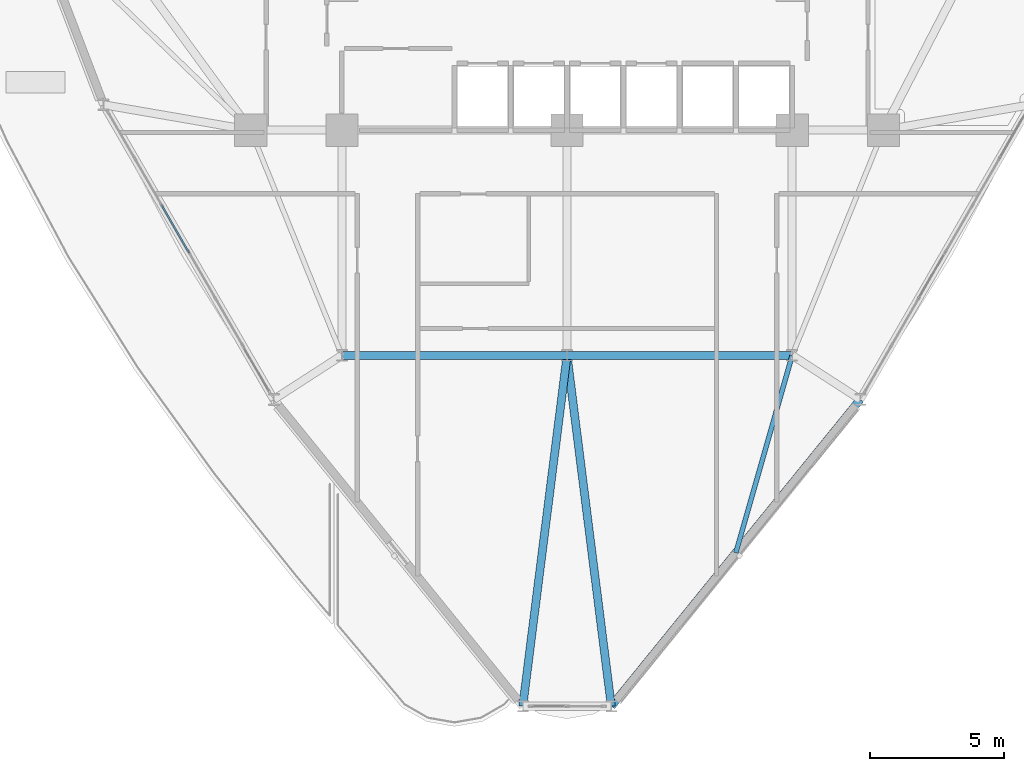
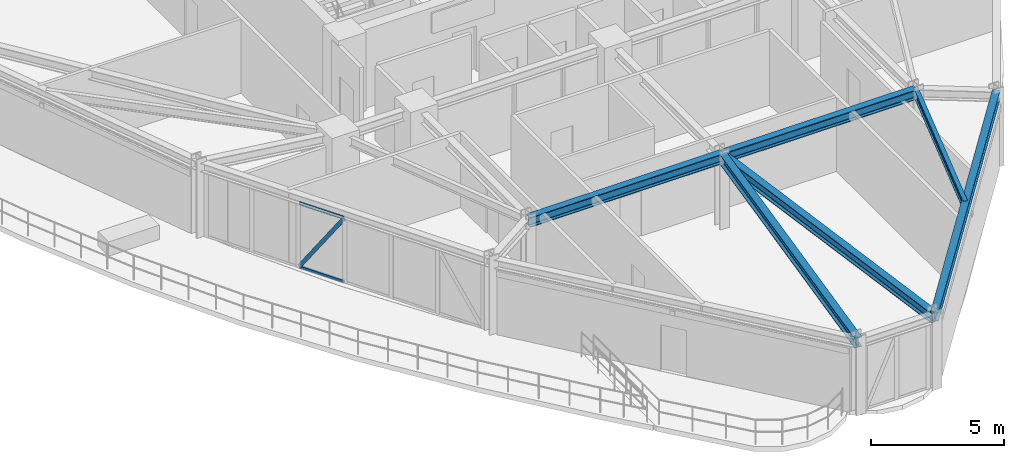
# One storey, part 4 of 18: 6 beams, 3 members, 1 element without a shape of its own.
"""IFC4 building model written with IfcOpenShell, lengths in metres."""

from ifc_helpers import new_model, si_unit, derived_unit, direction, frame, origin, origin_2d, place, context, subcontext, project, spatial, hollow_rectangle, i_section, extrude, source, transform, mapped, material, layer, layer_set, material_profile, profile_set, type_object, element, aggregate, save


model = new_model("IFC4")

# Units and contexts
model_context = context("Model", 3, precision=1e-05, world=origin(), true_north=direction((0.0, 1.0)))
body_context = subcontext(model_context, "Body", "Model", "MODEL_VIEW")
ifc_project = project(units=[si_unit("LENGTHUNIT", "METRE"), si_unit("AREAUNIT", "SQUARE_METRE"), si_unit("VOLUMEUNIT", "CUBIC_METRE"), si_unit("PLANEANGLEUNIT", "RADIAN"), si_unit("MASSUNIT", "GRAM", prefix="KILO"), derived_unit("THERMALTRANSMITTANCEUNIT", [(si_unit("POWERUNIT", "WATT"), 1), (si_unit("LENGTHUNIT", "METRE"), -2), (si_unit("THERMODYNAMICTEMPERATUREUNIT", "KELVIN"), -1)])], contexts=[model_context])

# Site, building, storey
site_placement = place(None, origin())
site = spatial("IfcSite", under=ifc_project, at=site_placement, CompositionType="ELEMENT")
building_placement = place(site_placement, origin())
building = spatial("IfcBuilding", under=site, at=building_placement, Name="Korsvarv Bourse and Concert Hall", CompositionType="ELEMENT")
storey_placement = place(building_placement, frame((0.0, 0.0, 168.60009765625)))
storey = spatial("IfcBuildingStorey", under=building, at=storey_placement, Name="L43", CompositionType="ELEMENT", Elevation=168.60009765625)

# Beams
ifc_material_1 = material(Name="Steel S355", Category="steel")
ifc_material_profile_1 = material_profile(ifc_material_1, i_section(OverallWidth=0.300048828125, OverallDepth=0.449951171875, WebThickness=0.013916015625, FlangeThickness=0.02587890625, FilletRadius=0.02099609375, at=origin_2d()), Name="HEB 450")
ifc_profile_set_1 = profile_set([ifc_material_profile_1], Name="Steel S355")
beam_type_1 = type_object("IfcBeamType", Name="BM-HEB450", PredefinedType="SPANDREL", material=ifc_profile_set_1)
shared_shape_1 = source(origin(), body_context, "Body", "SweptSolid", [
    extrude(i_section(OverallWidth=0.300048828125, OverallDepth=0.449951171875, WebThickness=0.013916015625, FlangeThickness=0.02587890625, FilletRadius=0.02099609375, at=origin_2d()), origin(), (0.0, 0.0, 1.0), 8.39990234375),
])
for number, where, z_axis, x_axis, name in (
    (1, (27.60009765625, 24.0, 3.1748046875), (1.0, 0.0, 0.0), (0.0, 1.0, 0.0), "L43 beam B-08"),
    (2, (36.0, 24.0, 3.1748046875), (1.0, 0.0, 0.0), (0.0, 1.0, 0.0), "L43 beam B-08"),
):
    element("IfcBeam", number, at=place(storey_placement, frame(where, z_axis=z_axis, x_axis=x_axis)), inside=storey, type_object=beam_type_1, Name=name, PredefinedType="SPANDREL", context=body_context, shape_type="MappedRepresentation", body=[
        mapped(shared_shape_1, transform((0.0, 0.0, 0.0), scale=1.0)),
    ])
ifc_material_profile_2 = material_profile(ifc_material_1, i_section(OverallWidth=0.300048828125, OverallDepth=0.39990234375, WebThickness=0.013427734375, FlangeThickness=0.02392578125, FilletRadius=0.02099609375, at=origin_2d()), Name="HEB 400")
ifc_profile_set_2 = profile_set([ifc_material_profile_2], Name="Steel S355")
beam_type_2 = type_object("IfcBeamType", Name="BM-HEB400", PredefinedType="SPANDREL", material=ifc_profile_set_2)
shared_shape_2 = source(origin(), body_context, "Body", "SweptSolid", [
    extrude(i_section(OverallWidth=0.300048828125, OverallDepth=0.39990234375, WebThickness=0.013427734375, FlangeThickness=0.02392578125, FilletRadius=0.02099609375, at=origin_2d()), origin(), (0.0, 0.0, 1.0), 14.739990234375),
])
beam_1_placement = place(storey_placement, frame((37.651611328125, 10.91064453125, 3.199951171875), z_axis=(0.630125471289, 0.77649332929, 0.0), x_axis=(-0.77649332929, 0.630125471289, 0.0)))
element("IfcBeam", 3, at=beam_1_placement, inside=storey, type_object=beam_type_2, Name="L43 beam B-09", PredefinedType="SPANDREL", context=body_context, shape_type="MappedRepresentation", body=[
    mapped(shared_shape_2, transform((0.0, 0.0, 0.0), scale=1.0)),
])
shared_shape_3 = source(origin(), body_context, "Body", "SweptSolid", [
    extrude(i_section(OverallWidth=0.300048828125, OverallDepth=0.449951171875, WebThickness=0.013916015625, FlangeThickness=0.02587890625, FilletRadius=0.02099609375, at=origin_2d()), origin(), (0.0, 0.0, 1.0), 13.193115234375),
])
for number, where, z_axis, x_axis, name in (
    (4, (34.348388671875, 10.91064453125, 3.1748046875), (0.125187092462, 0.992133152294, 0.0), (-0.992133152294, 0.125187092462, 0.0), "L43 beam B-08"),
    (5, (37.651611328125, 10.91064453125, 3.1748046875), (-0.125187092462, 0.992133152294, 0.0), (-0.992133152294, -0.125187092462, 0.0), "L43 beam B-08"),
):
    element("IfcBeam", number, at=place(storey_placement, frame(where, z_axis=z_axis, x_axis=x_axis)), inside=storey, type_object=beam_type_1, Name=name, PredefinedType="SPANDREL", context=body_context, shape_type="MappedRepresentation", body=[
        mapped(shared_shape_3, transform((0.0, 0.0, 0.0), scale=1.0)),
    ])
ifc_material_profile_3 = material_profile(ifc_material_1, i_section(OverallWidth=0.179931640625, OverallDepth=0.39990234375, WebThickness=0.008544921875, FlangeThickness=0.013427734375, FilletRadius=0.02099609375, at=origin_2d()), Name="IPE 400")
ifc_profile_set_3 = profile_set([ifc_material_profile_3], Name="Steel S355")
beam_type_3 = type_object("IfcBeamType", Name="BM-IPE400", PredefinedType="JOIST", material=ifc_profile_set_3)
shared_shape_4 = source(origin(), body_context, "Body", "SweptSolid", [
    extrude(i_section(OverallWidth=0.179931640625, OverallDepth=0.39990234375, WebThickness=0.008544921875, FlangeThickness=0.013427734375, FilletRadius=0.02099609375, at=origin_2d()), origin(), (0.0, 0.0, 1.0), 7.661376953125),
])
beam_2_placement = place(storey_placement, frame((42.295654296875, 16.63330078125, 3.199951171875), z_axis=(0.274657995415, 0.961541983251, 0.0), x_axis=(-0.961541983251, 0.274657995415, 0.0)))
element("IfcBeam", 6, at=beam_2_placement, inside=storey, type_object=beam_type_3, Name="L43 beam J-05", PredefinedType="JOIST", context=body_context, shape_type="MappedRepresentation", body=[
    mapped(shared_shape_4, transform((0.0, 0.0, 0.0), scale=1.0)),
])

# Curtain wall, members
ifc_material_2 = material(Name="Anodised aluminium and triple low-E glazing", Category="glass")
ifc_layer = layer(ifc_material_2, 0.2099609375)
ifc_layer_set = layer_set([ifc_layer], Name="Anodised aluminium and triple low-E glazing")
curtain_wall_type = type_object("IfcCurtainWallType", Name="CW-SYS-2", PredefinedType="NOTDEFINED", material=ifc_layer_set)
curtain_wall_placement = place(storey_placement, origin())
curtain_wall = element("IfcCurtainWall", 7, at=curtain_wall_placement, inside=storey, type_object=curtain_wall_type, Name="L43 CW2 curtain wall CW-L43-F07", PredefinedType="NOTDEFINED")
ifc_material_3 = material(Name="Extruded aluminium EN AW-6063 T66", Category="aluminium")
ifc_material_profile_4 = material_profile(ifc_material_3, hollow_rectangle(XDim=0.06494140625, YDim=0.139892578125, WallThickness=0.00390625, at=origin_2d()), Name="ALU-T 65x140")
ifc_profile_set_4 = profile_set([ifc_material_profile_4], Name="Extruded aluminium EN AW-6063 T66")
member_type_1 = type_object("IfcMemberType", Name="CWT-140", PredefinedType="USERDEFINED", material=ifc_profile_set_4)
shared_shape_5 = source(origin(), body_context, "Body", "SweptSolid", [
    extrude(hollow_rectangle(XDim=0.06494140625, YDim=0.139892578125, WallThickness=0.00390625, at=origin_2d()), origin(), (0.0, 0.0, 1.0), 1.9423828125),
])
member_1_placement = place(storey_placement, frame((20.898681640625, 29.564453125, 0.032470703125), z_axis=(0.500005339912, -0.866022320763, 0.0), x_axis=(0.866022320763, 0.500005339912, 0.0)))
member_1 = element("IfcMember", 8, at=member_1_placement, type_object=member_type_1, Name="CW2 transom 3.1", ObjectType="TRANSOM", PredefinedType="USERDEFINED", context=body_context, shape_type="MappedRepresentation", body=[
    mapped(shared_shape_5, transform((0.0, 0.0, 0.0), scale=1.0)),
])
member_2_placement = place(storey_placement, frame((20.898681640625, 29.564453125, 2.96728515625), z_axis=(0.500005339912, -0.866022320763, 0.0), x_axis=(0.866022320763, 0.500005339912, 0.0)))
member_2 = element("IfcMember", 9, at=member_2_placement, type_object=member_type_1, Name="CW2 transom 3.2", ObjectType="TRANSOM", PredefinedType="USERDEFINED", context=body_context, shape_type="MappedRepresentation", body=[
    mapped(shared_shape_5, transform((0.0, 0.0, 0.0), scale=1.0)),
])
ifc_material_profile_5 = material_profile(ifc_material_3, hollow_rectangle(XDim=0.06494140625, YDim=0.1650390625, WallThickness=0.0048828125, at=origin_2d()), Name="ALU-M 65x165")
ifc_profile_set_5 = profile_set([ifc_material_profile_5], Name="Extruded aluminium EN AW-6063 T66")
member_type_2 = type_object("IfcMemberType", Name="CWM-165", PredefinedType="MULLION", material=ifc_profile_set_5)
shared_shape_6 = source(origin(), body_context, "Body", "SweptSolid", [
    extrude(hollow_rectangle(XDim=0.06494140625, YDim=0.1650390625, WallThickness=0.0048828125, at=origin_2d()), origin(), (0.0, 0.0, 1.0), 3.46533203125),
])
member_3_placement = place(storey_placement, frame((20.898681640625, 29.564453125, 0.06494140625), z_axis=(0.280254414623, -0.485407973039, 0.828152499721), x_axis=(0.866022320763, 0.500005339912, 0.0)))
member_3 = element("IfcMember", 10, at=member_3_placement, type_object=member_type_2, Name="CW2 diagonal mullion 3", PredefinedType="MULLION", context=body_context, shape_type="MappedRepresentation", body=[
    mapped(shared_shape_6, transform((0.0, 0.0, 0.0), scale=1.0)),
])
aggregate(curtain_wall, [member_1, member_2, member_3])

save(model, "model.ifc")
